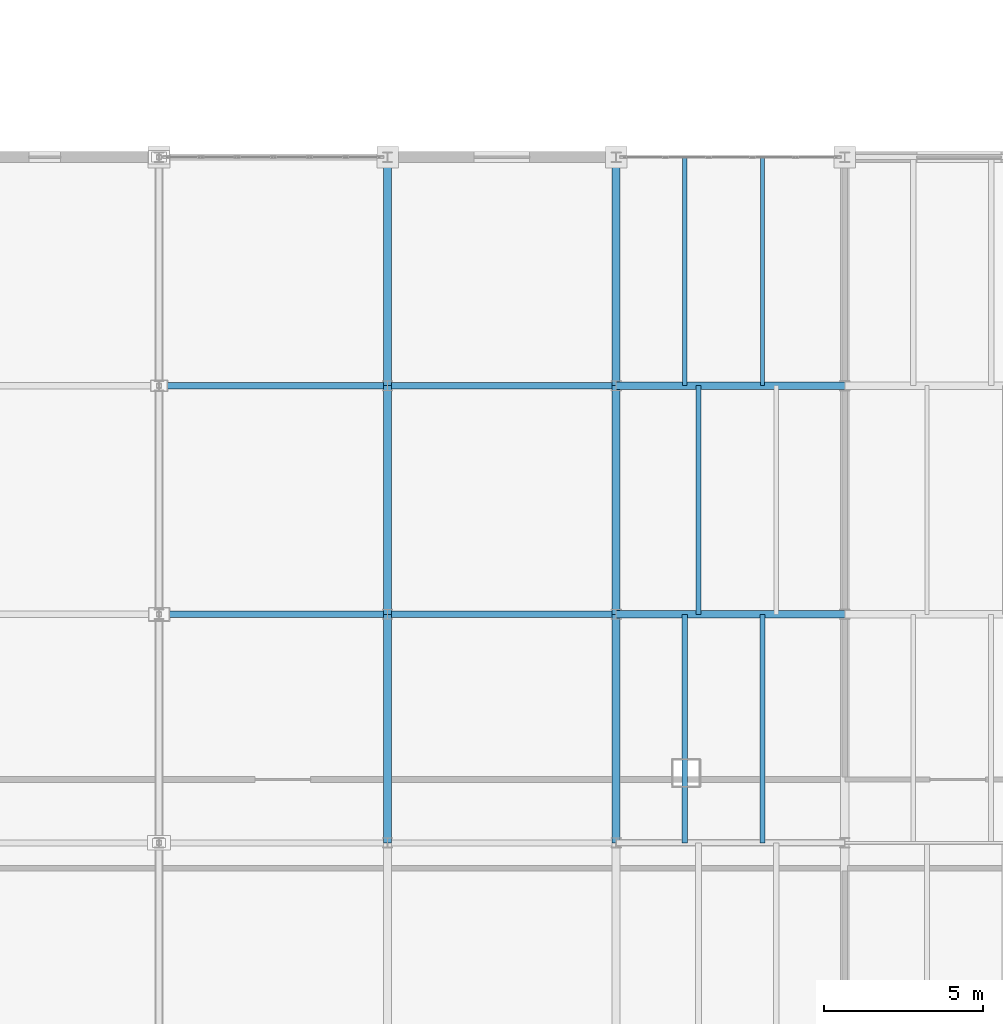
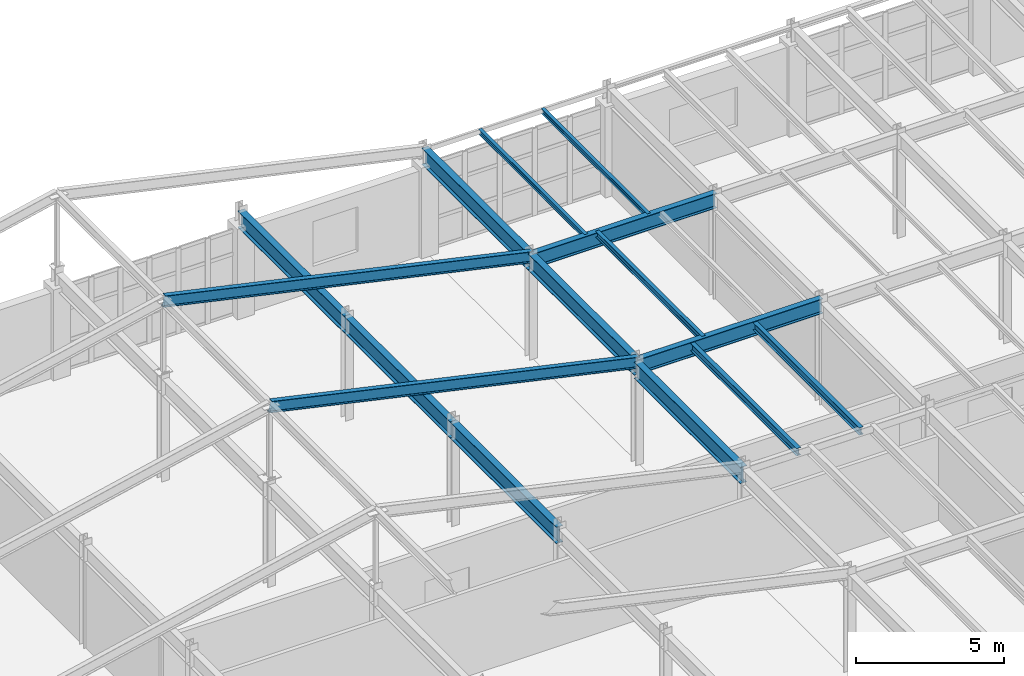
# One storey, part 88 of 137: 15 beams.
"""IFC4 building model written with IfcOpenShell, lengths in metres."""

from ifc_helpers import new_model, si_unit, direction, frame, origin, origin_2d, place, context, subcontext, project, spatial, i_section, extrude, material, material_profile, profile_set, type_object, element, save


model = new_model("IFC4")

# Units and contexts
model_context = context("Model", 3, precision=1e-05, world=origin(), true_north=direction((0.0, 1.0)))
body_context = subcontext(model_context, "Body", "Model", "MODEL_VIEW")
ifc_project = project(units=[si_unit("LENGTHUNIT", "METRE"), si_unit("AREAUNIT", "SQUARE_METRE"), si_unit("VOLUMEUNIT", "CUBIC_METRE"), si_unit("PLANEANGLEUNIT", "RADIAN"), si_unit("MASSUNIT", "GRAM", prefix="KILO")], contexts=[model_context])

# Site, building, storey
site_placement = place(None, origin())
site = spatial("IfcSite", under=ifc_project, at=site_placement, CompositionType="ELEMENT")
building_placement = place(site_placement, origin())
building = spatial("IfcBuilding", under=site, at=building_placement, Name="Kemerveld Promenade Tramway Depot", CompositionType="ELEMENT")
storey_placement = place(building_placement, frame((0.0, 0.0, 5.39990234375)))
storey = spatial("IfcBuildingStorey", under=building, at=storey_placement, Name="L01", CompositionType="ELEMENT", Elevation=5.39990234375)

# Beams
ifc_material = material(Name="Steel S355", Category="steel")
ifc_material_profile_1 = material_profile(ifc_material, i_section(OverallWidth=0.25439453125, OverallDepth=0.6875, WebThickness=0.01318359375, FlangeThickness=0.02099609375, FilletRadius=0.01513671875, at=origin_2d()), Name="686x254x152 UB")
ifc_profile_set_1 = profile_set([ifc_material_profile_1], Name="Steel S355")
beam_type_1 = type_object("IfcBeamType", Name="BM-G03", PredefinedType="BEAM", material=ifc_profile_set_1)
for number, where, z_axis, x_axis, name in (
    (1, (180.0, 28.800048828125, 3.896484375), (0.0, 1.0, 0.0), (-1.0, 0.0, 0.0), "BMY-L01-26-E-F"),
    (2, (180.0, 36.0, 3.896484375), (0.0, 1.0, 0.0), (-1.0, 0.0, 0.0), "BMY-L01-26-F-G"),
    (3, (180.0, 43.199951171875, 3.896484375), (0.0, 1.0, 0.0), (-1.0, 0.0, 0.0), "BMY-L01-26-G-H"),
    (4, (187.199951171875, 28.800048828125, 3.856201171875), (0.0, 1.0, 0.0), (-1.0, 0.0, 0.0), "BMY-L01-27-E-F"),
    (5, (187.199951171875, 36.0, 3.976318359375), (0.0, 1.0, 0.0), (-1.0, 0.0, 0.0), "BMY-L01-27-F-G"),
    (6, (187.199951171875, 43.199951171875, 3.976318359375), (0.0, 1.0, 0.0), (-1.0, 0.0, 0.0), "BMY-L01-27-G-H"),
):
    element("IfcBeam", number, at=place(storey_placement, frame(where, z_axis=z_axis, x_axis=x_axis)), inside=storey, type_object=beam_type_1, Name=name, PredefinedType="BEAM", context=body_context, shape_type="SweptSolid", body=[
        extrude(i_section(OverallWidth=0.25439453125, OverallDepth=0.6875, WebThickness=0.01318359375, FlangeThickness=0.02099609375, FilletRadius=0.01513671875, at=origin_2d()), origin(), (0.0, 0.0, 1.0), 7.199951171875),
    ])
ifc_material_profile_2 = material_profile(ifc_material, i_section(OverallWidth=0.22900390625, OverallDepth=0.6123046875, WebThickness=0.011962890625, FlangeThickness=0.01953125, FilletRadius=0.0126953125, at=origin_2d()), Name="610x229x125 UB")
ifc_profile_set_2 = profile_set([ifc_material_profile_2], Name="Steel S355")
beam_type_2 = type_object("IfcBeamType", Name="BM-G04", PredefinedType="BEAM", material=ifc_profile_set_2)
for number, where, z_axis, x_axis, name in (
    (7, (187.199951171875, 36.0, 4.013916015625), (1.0, 0.0, 0.0), (0.0, 1.0, 0.0), "BMX-L01-27-28-F"),
    (8, (187.199951171875, 43.199951171875, 4.013916015625), (1.0, 0.0, 0.0), (0.0, 1.0, 0.0), "BMX-L01-27-28-G"),
):
    element("IfcBeam", number, at=place(storey_placement, frame(where, z_axis=z_axis, x_axis=x_axis)), inside=storey, type_object=beam_type_2, Name=name, PredefinedType="BEAM", context=body_context, shape_type="SweptSolid", body=[
        extrude(i_section(OverallWidth=0.22900390625, OverallDepth=0.6123046875, WebThickness=0.011962890625, FlangeThickness=0.01953125, FilletRadius=0.0126953125, at=origin_2d()), origin(), (0.0, 0.0, 1.0), 7.199951171875),
    ])
ifc_material_profile_3 = material_profile(ifc_material, i_section(OverallWidth=0.19140625, OverallDepth=0.4599609375, WebThickness=0.010009765625, FlangeThickness=0.01611328125, FilletRadius=0.01025390625, at=origin_2d()), Name="457x191x82 UB")
ifc_profile_set_3 = profile_set([ifc_material_profile_3], Name="Steel S355")
beam_type_3 = type_object("IfcBeamType", Name="BM-G06", PredefinedType="BEAM", material=ifc_profile_set_3)
for number, where, z_axis, x_axis, name in (
    (9, (172.800048828125, 36.0, 7.375), (0.976187449608, 0.0, -0.216928705402), (0.0, 1.0, 0.0), "RAF-V2W-F-B"),
    (10, (172.800048828125, 43.199951171875, 7.375), (0.976187449608, 0.0, -0.216928705402), (0.0, 1.0, 0.0), "RAF-V2W-G-B"),
):
    element("IfcBeam", number, at=place(storey_placement, frame(where, z_axis=z_axis, x_axis=x_axis)), inside=storey, type_object=beam_type_3, Name=name, PredefinedType="BEAM", context=body_context, shape_type="SweptSolid", body=[
        extrude(i_section(OverallWidth=0.19140625, OverallDepth=0.4599609375, WebThickness=0.010009765625, FlangeThickness=0.01611328125, FilletRadius=0.01025390625, at=origin_2d()), origin(), (0.0, 0.0, 1.0), 14.751220703125),
    ])
ifc_material_profile_4 = material_profile(ifc_material, i_section(OverallWidth=0.165771484375, OverallDepth=0.306640625, WebThickness=0.006591796875, FlangeThickness=0.01171875, FilletRadius=0.0087890625, at=origin_2d()), Name="305x165x46 UB")
ifc_profile_set_4 = profile_set([ifc_material_profile_4], Name="Steel S355")
beam_type_4 = type_object("IfcBeamType", Name="BM-J01", PredefinedType="JOIST", material=ifc_profile_set_4)
for number, where, z_axis, x_axis, name in (
    (11, (189.360107421875, 28.800048828125, 4.046875), (0.0, 1.0, 0.0), (-1.0, 0.0, 0.0), "JST-L01-27-E-1"),
    (12, (191.80810546875, 28.800048828125, 4.046875), (0.0, 1.0, 0.0), (-1.0, 0.0, 0.0), "JST-L01-27-E-2"),
):
    element("IfcBeam", number, at=place(storey_placement, frame(where, z_axis=z_axis, x_axis=x_axis)), inside=storey, type_object=beam_type_4, Name=name, PredefinedType="JOIST", context=body_context, shape_type="SweptSolid", body=[
        extrude(i_section(OverallWidth=0.165771484375, OverallDepth=0.306640625, WebThickness=0.006591796875, FlangeThickness=0.01171875, FilletRadius=0.0087890625, at=origin_2d()), origin(), (0.0, 0.0, 1.0), 7.199951171875),
    ])
ifc_material_profile_5 = material_profile(ifc_material, i_section(OverallWidth=0.146484375, OverallDepth=0.256103515625, WebThickness=0.00634765625, FlangeThickness=0.010986328125, FilletRadius=0.007568359375, at=origin_2d()), Name="254x146x37 UB")
ifc_profile_set_5 = profile_set([ifc_material_profile_5], Name="Steel S355")
beam_type_5 = type_object("IfcBeamType", Name="BM-J02", PredefinedType="JOIST", material=ifc_profile_set_5)
beam_placement = place(storey_placement, frame((189.7919921875, 36.0, 4.192138671875), z_axis=(0.0, 1.0, 0.0), x_axis=(-1.0, 0.0, 0.0)))
element("IfcBeam", 13, at=beam_placement, inside=storey, type_object=beam_type_5, Name="JST-L01-27-F-1", PredefinedType="JOIST", context=body_context, shape_type="SweptSolid", body=[
    extrude(i_section(OverallWidth=0.146484375, OverallDepth=0.256103515625, WebThickness=0.00634765625, FlangeThickness=0.010986328125, FilletRadius=0.007568359375, at=origin_2d()), origin(), (0.0, 0.0, 1.0), 7.199951171875),
])
ifc_material_profile_6 = material_profile(ifc_material, i_section(OverallWidth=0.13330078125, OverallDepth=0.203125, WebThickness=0.005615234375, FlangeThickness=0.0078125, FilletRadius=0.007568359375, at=origin_2d()), Name="203x133x25 UB")
ifc_profile_set_6 = profile_set([ifc_material_profile_6], Name="Steel S355")
beam_type_6 = type_object("IfcBeamType", Name="BM-J03", PredefinedType="JOIST", material=ifc_profile_set_6)
for number, where, z_axis, x_axis, name in (
    (14, (189.360107421875, 43.199951171875, 4.218505859375), (0.0, 1.0, 0.0), (-1.0, 0.0, 0.0), "JST-L01-27-G-1"),
    (15, (191.80810546875, 43.199951171875, 4.218505859375), (0.0, 1.0, 0.0), (-1.0, 0.0, 0.0), "JST-L01-27-G-2"),
):
    element("IfcBeam", number, at=place(storey_placement, frame(where, z_axis=z_axis, x_axis=x_axis)), inside=storey, type_object=beam_type_6, Name=name, PredefinedType="JOIST", context=body_context, shape_type="SweptSolid", body=[
        extrude(i_section(OverallWidth=0.13330078125, OverallDepth=0.203125, WebThickness=0.005615234375, FlangeThickness=0.0078125, FilletRadius=0.007568359375, at=origin_2d()), origin(), (0.0, 0.0, 1.0), 7.199951171875),
    ])

save(model, "model.ifc")
